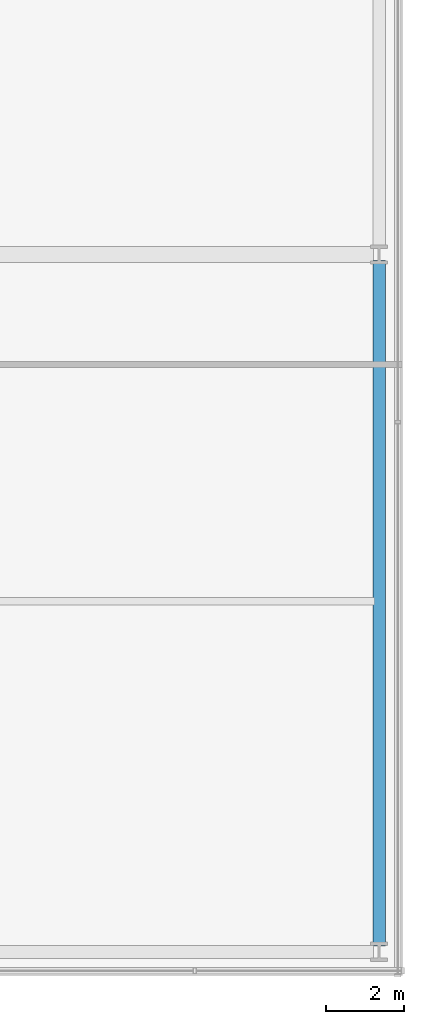
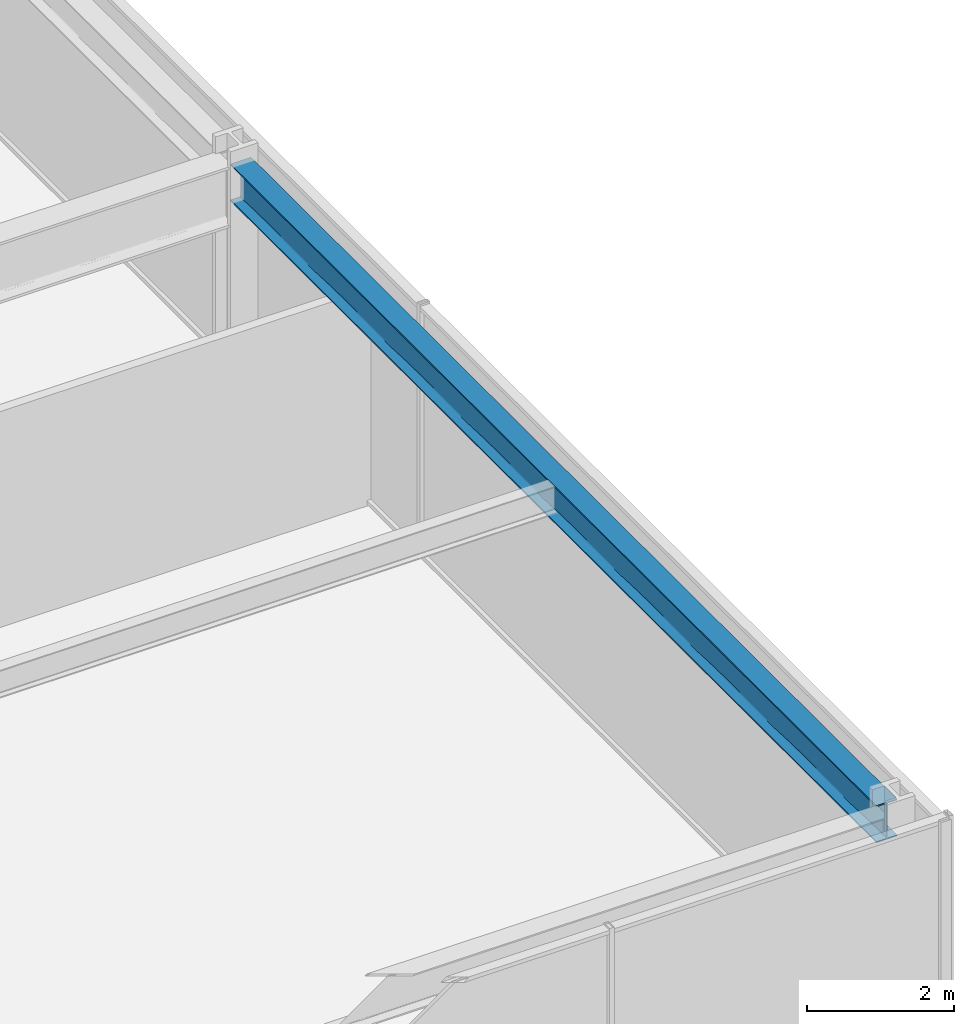
# One storey, part 21 of 47: 1 beam.
"""IFC4 building model written with IfcOpenShell, lengths in metres."""

from ifc_helpers import new_model, si_unit, direction, frame, origin, origin_2d, place, context, subcontext, project, spatial, i_section, extrude, material, material_profile, profile_set, type_object, element, save


model = new_model("IFC4")

# Units and contexts
model_context = context("Model", 3, precision=1e-05, world=origin(), true_north=direction((0.0, 1.0)))
body_context = subcontext(model_context, "Body", "Model", "MODEL_VIEW")
ifc_project = project(units=[si_unit("LENGTHUNIT", "METRE"), si_unit("AREAUNIT", "SQUARE_METRE"), si_unit("VOLUMEUNIT", "CUBIC_METRE"), si_unit("PLANEANGLEUNIT", "RADIAN"), si_unit("MASSUNIT", "GRAM", prefix="KILO")], contexts=[model_context])

# Site, building, storey
site_placement = place(None, origin())
site = spatial("IfcSite", under=ifc_project, at=site_placement, CompositionType="ELEMENT")
building_placement = place(site_placement, origin())
building = spatial("IfcBuilding", under=site, at=building_placement, Name="Kolvaren Belvedere", CompositionType="ELEMENT")
storey_placement = place(building_placement, frame((0.0, 0.0, 5.5)))
storey = spatial("IfcBuildingStorey", under=building, at=storey_placement, Name="L02", CompositionType="ELEMENT", Elevation=5.5)

# Beam
ifc_material = material(Name="Structural steel ASTM A992 Grade 50", Category="steel")
ifc_material_profile = material_profile(ifc_material, i_section(OverallWidth=0.324951171875, OverallDepth=0.615966796875, WebThickness=0.013916015625, FlangeThickness=0.021484375, FilletRadius=0.02001953125, at=origin_2d()), Name="W24X117")
ifc_profile_set = profile_set([ifc_material_profile], Name="Structural steel ASTM A992 Grade 50")
beam_type = type_object("IfcBeamType", Name="BM-SPAN-W24X117", PredefinedType="SPANDREL", material=ifc_profile_set)
beam_placement = place(storey_placement, frame((27.39990234375, -27.64990234375, 3.912109375), z_axis=(0.0, 1.0, 0.0), x_axis=(-1.0, 0.0, 0.0)))
element("IfcBeam", 1, at=beam_placement, inside=storey, type_object=beam_type, Name="L02 E Podium Spandrel 1", PredefinedType="SPANDREL", context=body_context, shape_type="SweptSolid", body=[
    extrude(i_section(OverallWidth=0.324951171875, OverallDepth=0.615966796875, WebThickness=0.013916015625, FlangeThickness=0.021484375, FilletRadius=0.02001953125, at=origin_2d()), origin(), (0.0, 0.0, 1.0), 17.599853515625),
])

save(model, "model.ifc")
